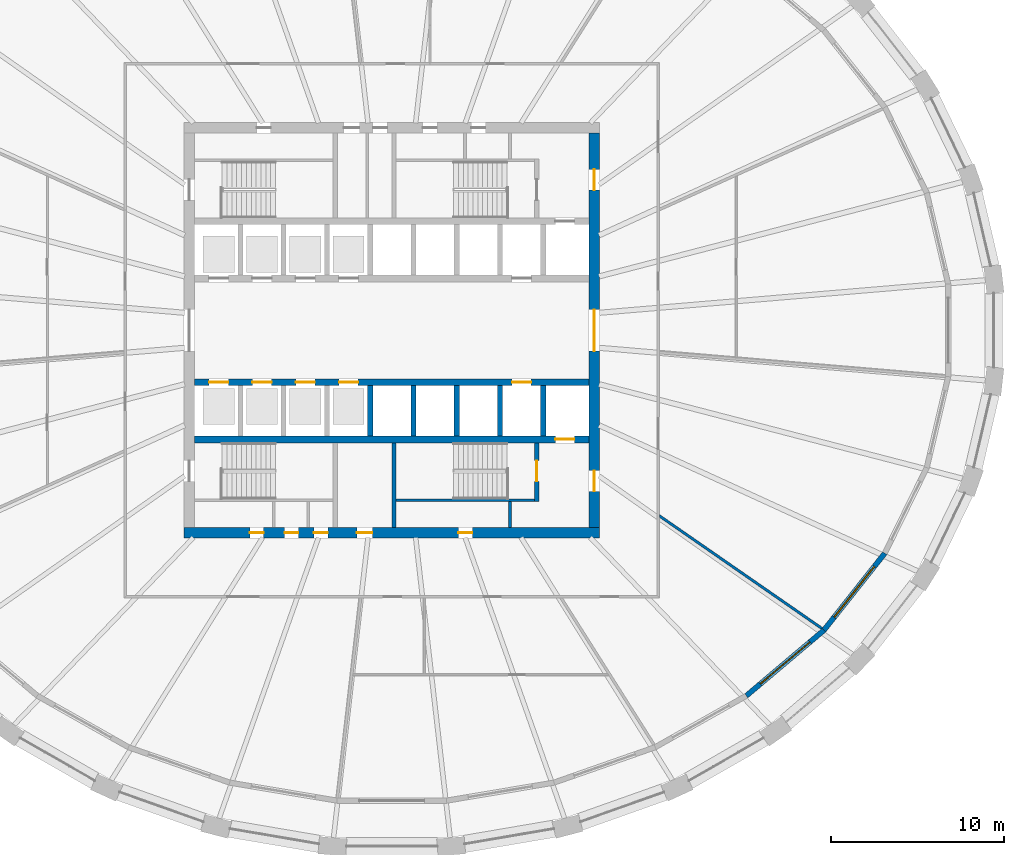
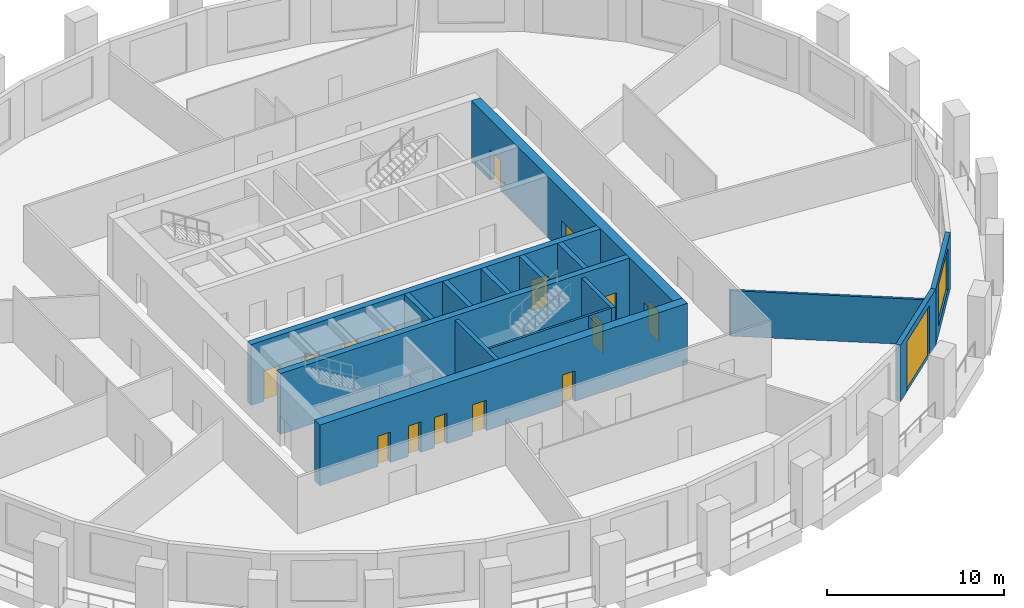
# One storey, part 4 of 10: 16 doors, 16 walls, 1 window, 17 openings.
"""IFC4 building model written with IfcOpenShell, lengths in metres."""

from ifc_helpers import new_model, si_unit, direction, frame, frame_2d, origin, place, context, subcontext, project, spatial, polyline, rectangle, outline, extrude, material, layer, layer_set, type_object, element, fill, save


model = new_model("IFC4")

# Units and contexts
model_context = context("Model", 3, precision=1e-05, world=origin(), true_north=direction((0.0, 1.0)))
body_context = subcontext(model_context, "Body", "Model", "MODEL_VIEW")
ifc_project = project(units=[si_unit("LENGTHUNIT", "METRE"), si_unit("AREAUNIT", "SQUARE_METRE"), si_unit("VOLUMEUNIT", "CUBIC_METRE"), si_unit("PLANEANGLEUNIT", "RADIAN"), si_unit("MASSUNIT", "GRAM", prefix="KILO")], contexts=[model_context])

# Site, building, storey
site_placement = place(None, origin())
site = spatial("IfcSite", under=ifc_project, at=site_placement, CompositionType="ELEMENT")
building_placement = place(site_placement, origin())
building = spatial("IfcBuilding", under=site, at=building_placement, Name="Halqa Exchange Tower", CompositionType="ELEMENT")
storey_placement = place(building_placement, frame((0.0, 0.0, 121.300048828125)))
storey = spatial("IfcBuildingStorey", under=building, at=storey_placement, Name="L27", CompositionType="ELEMENT", Elevation=121.300048828125)

# Walls
ifc_material_1 = material(Name="Fire-rated gypsum board")
ifc_layer_1 = layer(ifc_material_1, 0.14990234375)
ifc_layer_set_1 = layer_set([ifc_layer_1], Name="Fire-rated gypsum board")
wall_type_1 = type_object("IfcWallType", Name="Fire partition EI 60 150", PredefinedType="PARTITIONING", material=ifc_layer_set_1)
wall_1_placement = place(storey_placement, frame((15.4326171875, -10.702392578125, 0.0), z_axis=(0.0, 0.0, 1.0), x_axis=(0.82200427234, -0.56948132213, 0.0)))
element("IfcWall", 1, at=wall_1_placement, inside=storey, type_object=wall_type_1, Name="L27-PWL-021", PredefinedType="PARTITIONING", context=body_context, shape_type="SweptSolid", body=[
    extrude(outline(polyline([(0.103515625, -0.074951171875), (1.992431640625, -0.074951171875), (3.88134765625, -0.074951171875), (5.77001953125, -0.074951171875), (7.658935546875, -0.074951171875), (9.5478515625, -0.074951171875), (11.436767578125, -0.074951171875), (11.45703125, 0.0), (11.46142578125, 0.070556640625), (11.46142578125, 0.074951171875), (9.55126953125, 0.074951171875), (7.640869140625, 0.074951171875), (5.730712890625, 0.074951171875), (3.820556640625, 0.074951171875), (1.91015625, 0.074951171875), (0.0, 0.074951171875), (0.0, 0.074462890625), (0.103515625, -0.074951171875)])), origin(), (0.0, 0.0, 1.0), 3.14697265625),
])
ifc_material_2 = material(Name="Gypsum board")
ifc_layer_2 = layer(ifc_material_2, 0.14990234375)
ifc_layer_set_2 = layer_set([ifc_layer_2], Name="Gypsum board")
wall_type_2 = type_object("IfcWallType", Name="Penthouse riser wall 150 gypsum", PredefinedType="PARTITIONING", material=ifc_layer_set_2)
wall_2_placement = place(storey_placement, frame((6.824951171875, -11.39990234375, 0.0), z_axis=(0.0, 0.0, 1.0), x_axis=(0.0, 1.0, 0.0)))
element("IfcWall", 2, at=wall_2_placement, inside=storey, type_object=wall_type_2, Name="Firefighting lobby west wall S", PredefinedType="PARTITIONING", context=body_context, shape_type="SweptSolid", body=[
    extrude(rectangle(XDim=1.5, YDim=0.14990234375, at=frame_2d((0.75, 0.0))), origin(), (0.0, 0.0, 1.0), 3.89990234375),
])
ifc_material_3 = material(Name="Concrete C60/75", Category="concrete")
ifc_layer_3 = layer(ifc_material_3, 0.300048828125)
ifc_layer_set_3 = layer_set([ifc_layer_3], Name="Concrete C60/75")
wall_type_3 = type_object("IfcWallType", Name="RC core wall 300", PredefinedType="SHEAR", material=ifc_layer_set_3)
for number, where, z_axis, x_axis, name in (
    (3, (-1.25, -6.10009765625, 0.0), (0.0, 0.0, 1.0), (0.0, 1.0, 0.0), "Shaft divider S4"),
    (4, (1.25, -6.10009765625, 0.0), (0.0, 0.0, 1.0), (0.0, 1.0, 0.0), "Shaft divider S5"),
    (5, (3.75, -6.10009765625, 0.0), (0.0, 0.0, 1.0), (0.0, 1.0, 0.0), "Shaft divider S6"),
    (6, (6.25, -6.10009765625, 0.0), (0.0, 0.0, 1.0), (0.0, 1.0, 0.0), "Shaft divider S7"),
    (7, (8.75, -6.10009765625, 0.0), (0.0, 0.0, 1.0), (0.0, 1.0, 0.0), "Shaft divider S8"),
):
    element("IfcWall", number, at=place(storey_placement, frame(where, z_axis=z_axis, x_axis=x_axis)), inside=storey, type_object=wall_type_3, Name=name, PredefinedType="SHEAR", context=body_context, shape_type="SweptSolid", body=[
        extrude(rectangle(XDim=2.900146484375, YDim=0.300048828125, at=frame_2d((1.4501953125, 0.0))), origin(), (0.0, 0.0, 1.0), 4.199951171875),
    ])

# Wall, openings, doors
ifc_material_4 = material(Name="Concrete C70/85", Category="concrete")
ifc_layer_4 = layer(ifc_material_4, 0.39990234375)
ifc_layer_set_4 = layer_set([ifc_layer_4], Name="Concrete C70/85")
wall_type_4 = type_object("IfcWallType", Name="RC core wall 400 C70/85", PredefinedType="SHEAR", material=ifc_layer_set_4)
wall_3_placement = place(storey_placement, frame((-11.39990234375, -3.0, 0.0), z_axis=(0.0, 0.0, 1.0), x_axis=(1.0, 0.0, 0.0)))
wall_3 = element("IfcWall", 8, at=wall_3_placement, inside=storey, type_object=wall_type_4, Name="Lift row front wall S", PredefinedType="SHEAR", context=body_context, shape_type="SweptSolid", body=[
    extrude(rectangle(XDim=22.7998046875, YDim=0.39990234375, at=frame_2d((11.39990234375, 0.0))), origin(), (0.0, 0.0, 1.0), 4.199951171875),
])
opening_1_placement = place(wall_3_placement, frame((0.85009765625, 0.0, 0.0)))
opening_1 = element("IfcOpeningElement", 9, at=opening_1_placement, cuts=wall_3, Name="Opening LD-LR5-T08", PredefinedType="OPENING", context=body_context, shape_type="SweptSolid", body=[
    extrude(rectangle(XDim=1.10009765625, YDim=2.10009765625, at=frame_2d((0.550048828125, 1.050048828125))), frame((0.0, 0.2119140625, 0.0), z_axis=(0.0, -1.0, 0.0), x_axis=(1.0, 0.0, 0.0)), (0.0, 0.0, 1.0), 0.423828125),
])
opening_2_placement = place(wall_3_placement, frame((3.35009765625, 0.0, 0.0)))
opening_2 = element("IfcOpeningElement", 10, at=opening_2_placement, cuts=wall_3, Name="Opening LD-LR6-T08", PredefinedType="OPENING", context=body_context, shape_type="SweptSolid", body=[
    extrude(rectangle(XDim=1.10009765625, YDim=2.10009765625, at=frame_2d((0.550048828125, 1.050048828125))), frame((0.0, 0.2119140625, 0.0), z_axis=(0.0, -1.0, 0.0), x_axis=(1.0, 0.0, 0.0)), (0.0, 0.0, 1.0), 0.423828125),
])
opening_3_placement = place(wall_3_placement, frame((5.85009765625, 0.0, 0.0)))
opening_3 = element("IfcOpeningElement", 11, at=opening_3_placement, cuts=wall_3, Name="Opening LD-LR7-T08", PredefinedType="OPENING", context=body_context, shape_type="SweptSolid", body=[
    extrude(rectangle(XDim=1.10009765625, YDim=2.10009765625, at=frame_2d((0.550048828125, 1.050048828125))), frame((0.0, 0.2119140625, 0.0), z_axis=(0.0, -1.0, 0.0), x_axis=(1.0, 0.0, 0.0)), (0.0, 0.0, 1.0), 0.423828125),
])
opening_4_placement = place(wall_3_placement, frame((8.35009765625, 0.0, 0.0)))
opening_4 = element("IfcOpeningElement", 12, at=opening_4_placement, cuts=wall_3, Name="Opening LD-LR8-T08", PredefinedType="OPENING", context=body_context, shape_type="SweptSolid", body=[
    extrude(rectangle(XDim=1.10009765625, YDim=2.10009765625, at=frame_2d((0.550048828125, 1.050048828125))), frame((0.0, 0.2119140625, 0.0), z_axis=(0.0, -1.0, 0.0), x_axis=(1.0, 0.0, 0.0)), (0.0, 0.0, 1.0), 0.423828125),
])
opening_5_placement = place(wall_3_placement, frame((18.35009765625, 0.0, 0.0)))
opening_5 = element("IfcOpeningElement", 13, at=opening_5_placement, cuts=wall_3, Name="Opening LD-SV2-T08", PredefinedType="OPENING", context=body_context, shape_type="SweptSolid", body=[
    extrude(rectangle(XDim=1.10009765625, YDim=2.10009765625, at=frame_2d((0.550048828125, 1.050048828125))), frame((0.0, 0.2119140625, 0.0), z_axis=(0.0, -1.0, 0.0), x_axis=(1.0, 0.0, 0.0)), (0.0, 0.0, 1.0), 0.423828125),
])
ifc_material_5 = material(Name="Stainless steel", Category="steel")
door_type_1 = type_object("IfcDoorType", Name="Lift landing door 1100 x 2100", OperationType="SLIDING_TO_LEFT", PredefinedType="DOOR", material=ifc_material_5)
door_1_placement = place(opening_1_placement, origin())
door_1 = element("IfcDoor", 14, at=door_1_placement, inside=storey, type_object=door_type_1, Name="Lift landing door LR5", OperationType="SLIDING_TO_LEFT", OverallHeight=2.10009765625, OverallWidth=1.10009765625, PredefinedType="DOOR", context=body_context, shape_type="SweptSolid", body=[
    extrude(rectangle(XDim=1.10009765625, YDim=2.10009765625, at=frame_2d((0.550048828125, 1.050048828125))), frame((0.0, 0.02490234375, 0.0), z_axis=(0.0, -1.0, 0.0), x_axis=(1.0, 0.0, 0.0)), (0.0, 0.0, 1.0), 0.050048828125),
])
fill(opening_1, door_1)
door_2_placement = place(opening_2_placement, origin())
door_2 = element("IfcDoor", 15, at=door_2_placement, inside=storey, type_object=door_type_1, Name="Lift landing door LR6", OperationType="SLIDING_TO_LEFT", OverallHeight=2.10009765625, OverallWidth=1.10009765625, PredefinedType="DOOR", context=body_context, shape_type="SweptSolid", body=[
    extrude(rectangle(XDim=1.10009765625, YDim=2.10009765625, at=frame_2d((0.550048828125, 1.050048828125))), frame((0.0, 0.02490234375, 0.0), z_axis=(0.0, -1.0, 0.0), x_axis=(1.0, 0.0, 0.0)), (0.0, 0.0, 1.0), 0.050048828125),
])
fill(opening_2, door_2)
door_3_placement = place(opening_3_placement, origin())
door_3 = element("IfcDoor", 16, at=door_3_placement, inside=storey, type_object=door_type_1, Name="Lift landing door LR7", OperationType="SLIDING_TO_LEFT", OverallHeight=2.10009765625, OverallWidth=1.10009765625, PredefinedType="DOOR", context=body_context, shape_type="SweptSolid", body=[
    extrude(rectangle(XDim=1.10009765625, YDim=2.10009765625, at=frame_2d((0.550048828125, 1.050048828125))), frame((0.0, 0.02490234375, 0.0), z_axis=(0.0, -1.0, 0.0), x_axis=(1.0, 0.0, 0.0)), (0.0, 0.0, 1.0), 0.050048828125),
])
fill(opening_3, door_3)
door_4_placement = place(opening_4_placement, origin())
door_4 = element("IfcDoor", 17, at=door_4_placement, inside=storey, type_object=door_type_1, Name="Lift landing door LR8", OperationType="SLIDING_TO_LEFT", OverallHeight=2.10009765625, OverallWidth=1.10009765625, PredefinedType="DOOR", context=body_context, shape_type="SweptSolid", body=[
    extrude(rectangle(XDim=1.10009765625, YDim=2.10009765625, at=frame_2d((0.550048828125, 1.050048828125))), frame((0.0, 0.02490234375, 0.0), z_axis=(0.0, -1.0, 0.0), x_axis=(1.0, 0.0, 0.0)), (0.0, 0.0, 1.0), 0.050048828125),
])
fill(opening_4, door_4)
door_5_placement = place(opening_5_placement, origin())
door_5 = element("IfcDoor", 18, at=door_5_placement, inside=storey, type_object=door_type_1, Name="Lift landing door SV2", OperationType="SLIDING_TO_LEFT", OverallHeight=2.10009765625, OverallWidth=1.10009765625, PredefinedType="DOOR", context=body_context, shape_type="SweptSolid", body=[
    extrude(rectangle(XDim=1.10009765625, YDim=2.10009765625, at=frame_2d((0.550048828125, 1.050048828125))), frame((0.0, 0.02490234375, 0.0), z_axis=(0.0, -1.0, 0.0), x_axis=(1.0, 0.0, 0.0)), (0.0, 0.0, 1.0), 0.050048828125),
])
fill(opening_5, door_5)

# Wall, opening, door
wall_4_placement = place(storey_placement, frame((-11.39990234375, -6.300048828125, 0.0), z_axis=(0.0, 0.0, 1.0), x_axis=(1.0, 0.0, 0.0)))
wall_4 = element("IfcWall", 19, at=wall_4_placement, inside=storey, type_object=wall_type_4, Name="Lift row back wall S", PredefinedType="SHEAR", context=body_context, shape_type="SweptSolid", body=[
    extrude(rectangle(XDim=22.7998046875, YDim=0.39990234375, at=frame_2d((11.39990234375, 0.0))), origin(), (0.0, 0.0, 1.0), 4.199951171875),
])
opening_6_placement = place(wall_4_placement, frame((20.85009765625, 0.0, 0.0)))
opening_6 = element("IfcOpeningElement", 20, at=opening_6_placement, cuts=wall_4, Name="Opening LD-FF2-T08", PredefinedType="OPENING", context=body_context, shape_type="SweptSolid", body=[
    extrude(rectangle(XDim=1.10009765625, YDim=2.10009765625, at=frame_2d((0.550048828125, 1.050048828125))), frame((0.0, 0.2119140625, 0.0), z_axis=(0.0, -1.0, 0.0), x_axis=(1.0, 0.0, 0.0)), (0.0, 0.0, 1.0), 0.423828125),
])
door_6_placement = place(opening_6_placement, origin())
door_6 = element("IfcDoor", 21, at=door_6_placement, inside=storey, type_object=door_type_1, Name="Lift landing door FF2", OperationType="SLIDING_TO_LEFT", OverallHeight=2.10009765625, OverallWidth=1.10009765625, PredefinedType="DOOR", context=body_context, shape_type="SweptSolid", body=[
    extrude(rectangle(XDim=1.10009765625, YDim=2.10009765625, at=frame_2d((0.550048828125, 1.050048828125))), frame((0.0, 0.02490234375, 0.0), z_axis=(0.0, -1.0, 0.0), x_axis=(1.0, 0.0, 0.0)), (0.0, 0.0, 1.0), 0.050048828125),
])
fill(opening_6, door_6)

# Wall, openings, doors
ifc_layer_5 = layer(ifc_material_4, 0.60009765625)
ifc_layer_set_5 = layer_set([ifc_layer_5], Name="Concrete C70/85")
wall_type_5 = type_object("IfcWallType", Name="RC core wall 600 C70/85", PredefinedType="SHEAR", material=ifc_layer_set_5)
wall_5_placement = place(storey_placement, frame((-12.0, -11.699951171875, 0.0), z_axis=(0.0, 0.0, 1.0), x_axis=(1.0, 0.0, 0.0)))
wall_5 = element("IfcWall", 22, at=wall_5_placement, inside=storey, type_object=wall_type_5, Name="Core wall south", PredefinedType="SHEAR", context=body_context, shape_type="SweptSolid", body=[
    extrude(rectangle(XDim=24.0, YDim=0.60009765625, at=frame_2d((12.0, 0.0))), origin(), (0.0, 0.0, 1.0), 4.199951171875),
])
opening_7_placement = place(wall_5_placement, frame((9.97509765625, 0.0, 0.0)))
opening_7 = element("IfcOpeningElement", 23, at=opening_7_placement, cuts=wall_5, Name="Opening T08-C26", PredefinedType="OPENING", context=body_context, shape_type="SweptSolid", body=[
    extrude(rectangle(XDim=0.89990234375, YDim=2.10009765625, at=frame_2d((0.449951171875, 1.050048828125))), frame((0.0, 0.31201171875, 0.0), z_axis=(0.0, -1.0, 0.0), x_axis=(1.0, 0.0, 0.0)), (0.0, 0.0, 1.0), 0.6240234375),
])
opening_8_placement = place(wall_5_placement, frame((3.800048828125, 0.0, 0.0)))
opening_8 = element("IfcOpeningElement", 24, at=opening_8_placement, cuts=wall_5, Name="Opening T08-C27", PredefinedType="OPENING", context=body_context, shape_type="SweptSolid", body=[
    extrude(rectangle(XDim=0.800048828125, YDim=2.10009765625, at=frame_2d((0.39990234375, 1.050048828125))), frame((0.0, 0.31201171875, 0.0), z_axis=(0.0, -1.0, 0.0), x_axis=(1.0, 0.0, 0.0)), (0.0, 0.0, 1.0), 0.6240234375),
])
opening_9_placement = place(wall_5_placement, frame((5.800048828125, 0.0, 0.0)))
opening_9 = element("IfcOpeningElement", 25, at=opening_9_placement, cuts=wall_5, Name="Opening T08-C28", PredefinedType="OPENING", context=body_context, shape_type="SweptSolid", body=[
    extrude(rectangle(XDim=0.800048828125, YDim=2.10009765625, at=frame_2d((0.39990234375, 1.050048828125))), frame((0.0, 0.31201171875, 0.0), z_axis=(0.0, -1.0, 0.0), x_axis=(1.0, 0.0, 0.0)), (0.0, 0.0, 1.0), 0.6240234375),
])
opening_10_placement = place(wall_5_placement, frame((7.5, 0.0, 0.0)))
opening_10 = element("IfcOpeningElement", 26, at=opening_10_placement, cuts=wall_5, Name="Opening T08-C29", PredefinedType="OPENING", context=body_context, shape_type="SweptSolid", body=[
    extrude(rectangle(XDim=0.800048828125, YDim=2.10009765625, at=frame_2d((0.39990234375, 1.050048828125))), frame((0.0, 0.31201171875, 0.0), z_axis=(0.0, -1.0, 0.0), x_axis=(1.0, 0.0, 0.0)), (0.0, 0.0, 1.0), 0.6240234375),
])
opening_11_placement = place(wall_5_placement, frame((15.85009765625, 0.0, 0.0)))
opening_11 = element("IfcOpeningElement", 27, at=opening_11_placement, cuts=wall_5, Name="Opening T08-C30", PredefinedType="OPENING", context=body_context, shape_type="SweptSolid", body=[
    extrude(rectangle(XDim=0.800048828125, YDim=2.10009765625, at=frame_2d((0.39990234375, 1.050048828125))), frame((0.0, 0.31201171875, 0.0), z_axis=(0.0, -1.0, 0.0), x_axis=(1.0, 0.0, 0.0)), (0.0, 0.0, 1.0), 0.6240234375),
])
ifc_material_6 = material(Name="Timber fire door leaf", Category="wood")
door_type_2 = type_object("IfcDoorType", Name="Core room door FD30 900 x 2100", OperationType="SINGLE_SWING_LEFT", PredefinedType="DOOR", material=ifc_material_6)
door_7_placement = place(opening_7_placement, origin())
door_7 = element("IfcDoor", 28, at=door_7_placement, inside=storey, type_object=door_type_2, Name="Core room door", OperationType="SINGLE_SWING_RIGHT", OverallHeight=2.10009765625, OverallWidth=0.89990234375, PredefinedType="DOOR", context=body_context, shape_type="SweptSolid", body=[
    extrude(rectangle(XDim=0.89990234375, YDim=2.10009765625, at=frame_2d((0.449951171875, 1.050048828125))), frame((0.0, 0.02490234375, 0.0), z_axis=(0.0, -1.0, 0.0), x_axis=(1.0, 0.0, 0.0)), (0.0, 0.0, 1.0), 0.050048828125),
])
fill(opening_7, door_7)
ifc_material_7 = material(Name="Steel fire door leaf", Category="steel")
door_type_3 = type_object("IfcDoorType", Name="Riser door FD60 800 x 2100", OperationType="SINGLE_SWING_LEFT", PredefinedType="DOOR", material=ifc_material_7)
door_8_placement = place(opening_8_placement, origin())
door_8 = element("IfcDoor", 29, at=door_8_placement, inside=storey, type_object=door_type_3, Name="Core room door", OperationType="SINGLE_SWING_LEFT", OverallHeight=2.10009765625, OverallWidth=0.800048828125, PredefinedType="DOOR", context=body_context, shape_type="SweptSolid", body=[
    extrude(rectangle(XDim=0.800048828125, YDim=2.10009765625, at=frame_2d((0.39990234375, 1.050048828125))), frame((0.0, 0.02490234375, 0.0), z_axis=(0.0, -1.0, 0.0), x_axis=(1.0, 0.0, 0.0)), (0.0, 0.0, 1.0), 0.050048828125),
])
fill(opening_8, door_8)
door_9_placement = place(opening_9_placement, origin())
door_9 = element("IfcDoor", 30, at=door_9_placement, inside=storey, type_object=door_type_3, Name="Core room door", OperationType="SINGLE_SWING_LEFT", OverallHeight=2.10009765625, OverallWidth=0.800048828125, PredefinedType="DOOR", context=body_context, shape_type="SweptSolid", body=[
    extrude(rectangle(XDim=0.800048828125, YDim=2.10009765625, at=frame_2d((0.39990234375, 1.050048828125))), frame((0.0, 0.02490234375, 0.0), z_axis=(0.0, -1.0, 0.0), x_axis=(1.0, 0.0, 0.0)), (0.0, 0.0, 1.0), 0.050048828125),
])
fill(opening_9, door_9)
door_10_placement = place(opening_10_placement, origin())
door_10 = element("IfcDoor", 31, at=door_10_placement, inside=storey, type_object=door_type_3, Name="Core room door", OperationType="SINGLE_SWING_LEFT", OverallHeight=2.10009765625, OverallWidth=0.800048828125, PredefinedType="DOOR", context=body_context, shape_type="SweptSolid", body=[
    extrude(rectangle(XDim=0.800048828125, YDim=2.10009765625, at=frame_2d((0.39990234375, 1.050048828125))), frame((0.0, 0.02490234375, 0.0), z_axis=(0.0, -1.0, 0.0), x_axis=(1.0, 0.0, 0.0)), (0.0, 0.0, 1.0), 0.050048828125),
])
fill(opening_10, door_10)
door_11_placement = place(opening_11_placement, origin())
door_11 = element("IfcDoor", 32, at=door_11_placement, inside=storey, type_object=door_type_3, Name="Core room door", OperationType="SINGLE_SWING_LEFT", OverallHeight=2.10009765625, OverallWidth=0.800048828125, PredefinedType="DOOR", context=body_context, shape_type="SweptSolid", body=[
    extrude(rectangle(XDim=0.800048828125, YDim=2.10009765625, at=frame_2d((0.39990234375, 1.050048828125))), frame((0.0, 0.02490234375, 0.0), z_axis=(0.0, -1.0, 0.0), x_axis=(1.0, 0.0, 0.0)), (0.0, 0.0, 1.0), 0.050048828125),
])
fill(opening_11, door_11)

wall_6_placement = place(storey_placement, frame((11.699951171875, -11.39990234375, 0.0), z_axis=(0.0, 0.0, 1.0), x_axis=(0.0, 1.0, 0.0)))
wall_6 = element("IfcWall", 33, at=wall_6_placement, inside=storey, type_object=wall_type_5, Name="Core wall east", PredefinedType="SHEAR", context=body_context, shape_type="SweptSolid", body=[
    extrude(rectangle(XDim=22.7998046875, YDim=0.60009765625, at=frame_2d((11.39990234375, 0.0))), origin(), (0.0, 0.0, 1.0), 4.199951171875),
])
opening_12_placement = place(wall_6_placement, frame((10.199951171875, 0.0, 0.0)))
opening_12 = element("IfcOpeningElement", 34, at=opening_12_placement, cuts=wall_6, Name="Opening T08-C14", PredefinedType="OPENING", context=body_context, shape_type="SweptSolid", body=[
    extrude(rectangle(XDim=2.39990234375, YDim=2.10009765625, at=frame_2d((1.199951171875, 1.050048828125))), frame((0.0, 0.31201171875, 0.0), z_axis=(0.0, -1.0, 0.0), x_axis=(1.0, 0.0, 0.0)), (0.0, 0.0, 1.0), 0.6240234375),
])
opening_13_placement = place(wall_6_placement, frame((19.5, 0.0, 0.0)))
opening_13 = element("IfcOpeningElement", 35, at=opening_13_placement, cuts=wall_6, Name="Opening T08-C19", PredefinedType="OPENING", context=body_context, shape_type="SweptSolid", body=[
    extrude(rectangle(XDim=1.199951171875, YDim=2.10009765625, at=frame_2d((0.60009765625, 1.050048828125))), frame((0.0, 0.31201171875, 0.0), z_axis=(0.0, -1.0, 0.0), x_axis=(1.0, 0.0, 0.0)), (0.0, 0.0, 1.0), 0.6240234375),
])
opening_14_placement = place(wall_6_placement, frame((2.10009765625, 0.0, 0.0)))
opening_14 = element("IfcOpeningElement", 36, at=opening_14_placement, cuts=wall_6, Name="Opening T08-C20", PredefinedType="OPENING", context=body_context, shape_type="SweptSolid", body=[
    extrude(rectangle(XDim=1.199951171875, YDim=2.10009765625, at=frame_2d((0.60009765625, 1.050048828125))), frame((0.0, 0.31201171875, 0.0), z_axis=(0.0, -1.0, 0.0), x_axis=(1.0, 0.0, 0.0)), (0.0, 0.0, 1.0), 0.6240234375),
])
door_type_4 = type_object("IfcDoorType", Name="Firefighting lobby door FD90 1200 x 2100", OperationType="SINGLE_SWING_RIGHT", PredefinedType="DOOR", material=ifc_material_7)
door_12_placement = place(opening_13_placement, origin())
door_12 = element("IfcDoor", 37, at=door_12_placement, inside=storey, type_object=door_type_4, Name="Firefighting lobby door", OperationType="SINGLE_SWING_RIGHT", OverallHeight=2.10009765625, OverallWidth=1.199951171875, PredefinedType="DOOR", context=body_context, shape_type="SweptSolid", body=[
    extrude(rectangle(XDim=1.199951171875, YDim=2.10009765625, at=frame_2d((0.60009765625, 1.050048828125))), frame((0.0, 0.02490234375, 0.0), z_axis=(0.0, -1.0, 0.0), x_axis=(1.0, 0.0, 0.0)), (0.0, 0.0, 1.0), 0.050048828125),
])
fill(opening_13, door_12)
door_13_placement = place(opening_14_placement, origin())
door_13 = element("IfcDoor", 38, at=door_13_placement, inside=storey, type_object=door_type_4, Name="Firefighting lobby door", OperationType="SINGLE_SWING_LEFT", OverallHeight=2.10009765625, OverallWidth=1.199951171875, PredefinedType="DOOR", context=body_context, shape_type="SweptSolid", body=[
    extrude(rectangle(XDim=1.199951171875, YDim=2.10009765625, at=frame_2d((0.60009765625, 1.050048828125))), frame((0.0, 0.02490234375, 0.0), z_axis=(0.0, -1.0, 0.0), x_axis=(1.0, 0.0, 0.0)), (0.0, 0.0, 1.0), 0.050048828125),
])
fill(opening_14, door_13)
door_type_5 = type_object("IfcDoorType", Name="Lobby double door FD60 2400 x 2100", OperationType="DOUBLE_DOOR_SINGLE_SWING", PredefinedType="DOOR", material=ifc_material_7)
door_14_placement = place(opening_12_placement, origin())
door_14 = element("IfcDoor", 39, at=door_14_placement, inside=storey, type_object=door_type_5, Name="Lift lobby double door", OperationType="DOUBLE_DOOR_SINGLE_SWING", OverallHeight=2.10009765625, OverallWidth=2.39990234375, PredefinedType="DOOR", context=body_context, shape_type="SweptSolid", body=[
    extrude(rectangle(XDim=2.39990234375, YDim=2.10009765625, at=frame_2d((1.199951171875, 1.050048828125))), frame((0.0, 0.02490234375, 0.0), z_axis=(0.0, -1.0, 0.0), x_axis=(1.0, 0.0, 0.0)), (0.0, 0.0, 1.0), 0.050048828125),
])
fill(opening_12, door_14)

# Walls
ifc_material_8 = material(Name="Concrete C30/37", Category="concrete")
ifc_layer_6 = layer(ifc_material_8, 0.14990234375)
ifc_layer_set_6 = layer_set([ifc_layer_6], Name="Concrete C30/37")
wall_type_6 = type_object("IfcWallType", Name="RC stair wall 150 C30/37", PredefinedType="SHEAR", material=ifc_layer_set_6)
wall_7_placement = place(storey_placement, frame((0.25, -9.824951171875, 0.0), z_axis=(0.0, 0.0, 1.0), x_axis=(1.0, 0.0, 0.0)))
element("IfcWall", 40, at=wall_7_placement, inside=storey, type_object=wall_type_6, Name="Stair ST2 north wall S", PredefinedType="SHEAR", context=body_context, shape_type="SweptSolid", body=[
    extrude(rectangle(XDim=8.0, YDim=0.14990234375, at=frame_2d((4.0, 0.0))), origin(), (0.0, 0.0, 1.0), 3.89990234375),
])
ifc_layer_7 = layer(ifc_material_8, 0.25)
ifc_layer_set_7 = layer_set([ifc_layer_7], Name="Concrete C30/37")
wall_type_7 = type_object("IfcWallType", Name="RC stair wall 250 C30/37", PredefinedType="SHEAR", material=ifc_layer_set_7)
wall_8_placement = place(storey_placement, frame((0.125, -11.39990234375, 0.0), z_axis=(0.0, 0.0, 1.0), x_axis=(0.0, 1.0, 0.0)))
element("IfcWall", 41, at=wall_8_placement, inside=storey, type_object=wall_type_7, Name="Stair ST2 west wall S", PredefinedType="SHEAR", context=body_context, shape_type="SweptSolid", body=[
    extrude(rectangle(XDim=4.89990234375, YDim=0.25, at=frame_2d((2.449951171875, 0.0))), origin(), (0.0, 0.0, 1.0), 3.89990234375),
])

# Wall, opening, door
wall_9_placement = place(storey_placement, frame((8.375, -9.89990234375, 0.0), z_axis=(0.0, 0.0, 1.0), x_axis=(0.0, 1.0, 0.0)))
wall_9 = element("IfcWall", 42, at=wall_9_placement, inside=storey, type_object=wall_type_7, Name="Stair ST2 east wall S", PredefinedType="SHEAR", context=body_context, shape_type="SweptSolid", body=[
    extrude(rectangle(XDim=3.39990234375, YDim=0.25, at=frame_2d((1.699951171875, 0.0))), origin(), (0.0, 0.0, 1.0), 3.89990234375),
])
opening_15_placement = place(wall_9_placement, frame((1.175048828125, 0.0, 0.0)))
opening_15 = element("IfcOpeningElement", 43, at=opening_15_placement, cuts=wall_9, Name="Opening T08-C18", PredefinedType="OPENING", context=body_context, shape_type="SweptSolid", body=[
    extrude(rectangle(XDim=1.199951171875, YDim=2.10009765625, at=frame_2d((0.60009765625, 1.050048828125))), frame((0.0, 0.136962890625, 0.0), z_axis=(0.0, -1.0, 0.0), x_axis=(1.0, 0.0, 0.0)), (0.0, 0.0, 1.0), 0.27392578125),
])
door_type_6 = type_object("IfcDoorType", Name="Stair door FD90 1200 x 2100", OperationType="SINGLE_SWING_LEFT", PredefinedType="DOOR", material=ifc_material_7)
door_15_placement = place(opening_15_placement, origin())
door_15 = element("IfcDoor", 44, at=door_15_placement, inside=storey, type_object=door_type_6, Name="Stair door ST4", OperationType="SINGLE_SWING_RIGHT", OverallHeight=2.10009765625, OverallWidth=1.199951171875, PredefinedType="DOOR", context=body_context, shape_type="SweptSolid", body=[
    extrude(rectangle(XDim=1.199951171875, YDim=2.10009765625, at=frame_2d((0.60009765625, 1.050048828125))), frame((0.0, 0.02490234375, 0.0), z_axis=(0.0, -1.0, 0.0), x_axis=(1.0, 0.0, 0.0)), (0.0, 0.0, 1.0), 0.050048828125),
])
fill(opening_15, door_15)

ifc_material_9 = material(Name="Limestone cladding", Category="masonry")
ifc_layer_8 = layer(ifc_material_9, 0.0400390625)
ifc_material_10 = material(Name="Ventilated cavity")
ifc_layer_9 = layer(ifc_material_10, 0.030029296875, ventilated=True)
ifc_material_11 = material(Name="Mineral wool insulation")
ifc_layer_10 = layer(ifc_material_11, 0.10009765625)
ifc_layer_11 = layer(ifc_material_8, 0.10009765625)
ifc_material_12 = material(Name="Internal plaster")
ifc_layer_12 = layer(ifc_material_12, 0.030029296875)
ifc_layer_set_8 = layer_set([ifc_layer_8, ifc_layer_9, ifc_layer_10, ifc_layer_11, ifc_layer_12], Name="Stone-faced insulated wall 300")
wall_type_8 = type_object("IfcWallType", Name="Stone-faced insulated wall 300", PredefinedType="STANDARD", material=ifc_layer_set_8)
wall_10_placement = place(storey_placement, frame((20.47998046875, -21.11474609375, 0.0), z_axis=(0.0, 0.0, 1.0), x_axis=(0.763937302001, 0.645290476151, 0.0)))
wall_10 = element("IfcWall", 45, at=wall_10_placement, inside=storey, type_object=wall_type_8, Name="Glass-line wall 28", PredefinedType="STANDARD", context=body_context, shape_type="SweptSolid", body=[
    extrude(outline(polyline([(-0.01416015625, -0.14990234375), (5.87744140625, -0.14990234375), (5.84716796875, 0.14990234375), (0.01416015625, 0.14990234375), (-0.01416015625, -0.14990234375)])), origin(), (0.0, 0.0, 1.0), 3.89990234375),
])
opening_16_placement = place(wall_10_placement, frame((1.05615234375, 0.0, 0.0)))
opening_16 = element("IfcOpeningElement", 46, at=opening_16_placement, cuts=wall_10, Name="Opening LG-F2-07", PredefinedType="OPENING", context=body_context, shape_type="SweptSolid", body=[
    extrude(rectangle(XDim=3.75, YDim=3.449951171875, at=frame_2d((1.875, 1.72509765625))), frame((0.0, 0.162109375, 0.0), z_axis=(0.0, -1.0, 0.0), x_axis=(1.0, 0.0, 0.0)), (0.0, 0.0, 1.0), 0.323974609375),
])
ifc_material_13 = material(Name="Clear low-emissivity glass in aluminium frame", Category="aluminium")
door_type_7 = type_object("IfcDoorType", Name="Glazed sliding loggia door 3750 x 3450", OperationType="DOUBLE_DOOR_SLIDING", PredefinedType="DOOR", material=ifc_material_13)
door_16_placement = place(opening_16_placement, origin())
door_16 = element("IfcDoor", 47, at=door_16_placement, inside=storey, type_object=door_type_7, Name="Loggia door 7", OperationType="DOUBLE_DOOR_SLIDING", OverallHeight=3.449951171875, OverallWidth=3.75, PredefinedType="DOOR", context=body_context, shape_type="SweptSolid", body=[
    extrude(rectangle(XDim=3.75, YDim=3.449951171875, at=frame_2d((1.875, 1.72509765625))), frame((0.0, 0.02490234375, 0.0), z_axis=(0.0, -1.0, 0.0), x_axis=(1.0, 0.0, 0.0)), (0.0, 0.0, 1.0), 0.050048828125),
])
fill(opening_16, door_16)

# Wall, opening, window
wall_11_placement = place(storey_placement, frame((24.95849609375, -17.331787109375, 0.0), z_axis=(0.0, 0.0, 1.0), x_axis=(0.62038332391, 0.784298751379, 0.0)))
wall_11 = element("IfcWall", 48, at=wall_11_placement, inside=storey, type_object=wall_type_8, Name="Glass-line wall 29", PredefinedType="STANDARD", context=body_context, shape_type="SweptSolid", body=[
    extrude(outline(polyline([(-0.01513671875, -0.14990234375), (5.69091796875, -0.14990234375), (5.65869140625, 0.14990234375), (0.01513671875, 0.14990234375), (-0.01513671875, -0.14990234375)])), origin(), (0.0, 0.0, 1.0), 3.89990234375),
])
opening_17_placement = place(wall_11_placement, frame((0.96240234375, 0.0, 0.60009765625)))
opening_17 = element("IfcOpeningElement", 49, at=opening_17_placement, cuts=wall_11, Name="Opening W-F2-29", PredefinedType="OPENING", context=body_context, shape_type="SweptSolid", body=[
    extrude(rectangle(XDim=3.75, YDim=2.85009765625, at=frame_2d((1.875, 1.425048828125))), frame((0.0, 0.162109375, 0.0), z_axis=(0.0, -1.0, 0.0), x_axis=(1.0, 0.0, 0.0)), (0.0, 0.0, 1.0), 0.323974609375),
])
window_type = type_object("IfcWindowType", Name="Fixed clear glazed window 3750 x 2850", PartitioningType="TRIPLE_PANEL_VERTICAL", PredefinedType="WINDOW", material=ifc_material_13)
window_placement = place(opening_17_placement, origin())
window = element("IfcWindow", 50, at=window_placement, inside=storey, type_object=window_type, Name="Window 2", OverallHeight=2.85009765625, OverallWidth=3.75, PartitioningType="TRIPLE_PANEL_VERTICAL", PredefinedType="WINDOW", context=body_context, shape_type="SweptSolid", body=[
    extrude(rectangle(XDim=3.75, YDim=2.85009765625, at=frame_2d((1.875, 1.425048828125))), frame((0.0, 0.030029296875, 0.0), z_axis=(0.0, -1.0, 0.0), x_axis=(1.0, 0.0, 0.0)), (0.0, 0.0, 1.0), 0.06005859375),
])
fill(opening_17, window)

save(model, "model.ifc")
